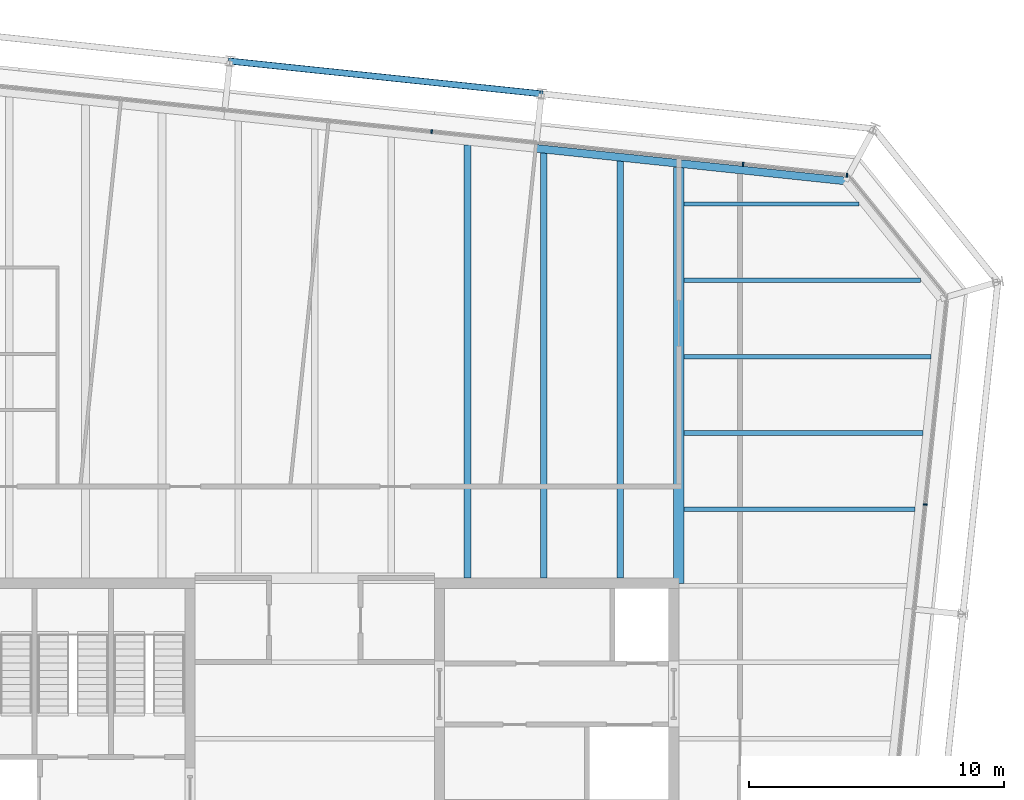
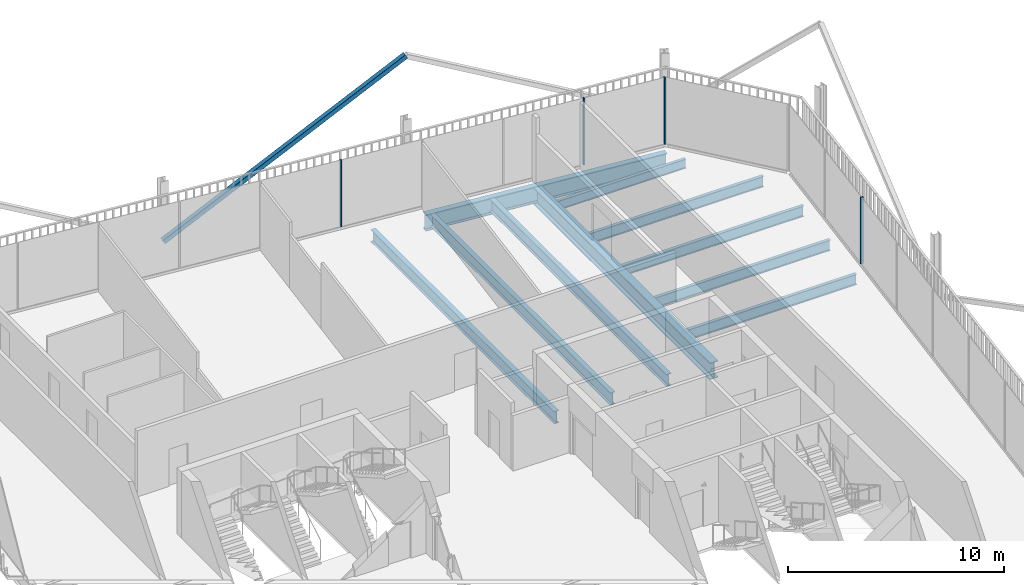
# One storey, part 14 of 21: 10 beams, 5 members, 2 elements without a shape of their own.
"""IFC4 building model written with IfcOpenShell, lengths in metres."""

from ifc_helpers import new_model, si_unit, direction, frame, origin, origin_2d, place, context, subcontext, project, spatial, rectangle, hollow_rectangle, i_section, extrude, material, layer, layer_set, material_profile, profile_set, type_object, element, aggregate, save


model = new_model("IFC4")

# Units and contexts
model_context = context("Model", 3, precision=1e-05, world=origin(), true_north=direction((0.0, 1.0)))
body_context = subcontext(model_context, "Body", "Model", "MODEL_VIEW")
ifc_project = project(units=[si_unit("LENGTHUNIT", "METRE"), si_unit("AREAUNIT", "SQUARE_METRE"), si_unit("VOLUMEUNIT", "CUBIC_METRE"), si_unit("PLANEANGLEUNIT", "RADIAN"), si_unit("MASSUNIT", "GRAM", prefix="KILO")], contexts=[model_context])

# Site, building, storey
site_placement = place(None, origin())
site = spatial("IfcSite", under=ifc_project, at=site_placement, CompositionType="ELEMENT")
building_placement = place(site_placement, origin())
building = spatial("IfcBuilding", under=site, at=building_placement, Name="Millrace Tower", CompositionType="ELEMENT")
storey_placement = place(building_placement, frame((0.0, 0.0, 334.300048828125)))
storey = spatial("IfcBuildingStorey", under=building, at=storey_placement, Name="L77", CompositionType="ELEMENT", Elevation=334.300048828125)

# Curtain wall, member
ifc_material_1 = material(Name="Aluminium and glass", Category="aluminium")
ifc_layer = layer(ifc_material_1, 0.14990234375)
ifc_layer_set = layer_set([ifc_layer], Name="Aluminium and glass")
curtain_wall_type = type_object("IfcCurtainWallType", Name="CW-1 office vision curtain wall", PredefinedType="NOTDEFINED", material=ifc_layer_set)
placement = place(storey_placement, origin())
curtain_wall_1 = element("IfcCurtainWall", 1, at=placement, inside=storey, type_object=curtain_wall_type, Name="Curtain wall E-F04 L77", PredefinedType="NOTDEFINED")
ifc_material_2 = material(Name="Aluminium", Category="aluminium")
ifc_material_profile_1 = material_profile(ifc_material_2, rectangle(XDim=0.06494140625, YDim=0.14990234375, at=origin_2d()))
ifc_profile_set_1 = profile_set([ifc_material_profile_1], Name="Aluminium")
member_type_1 = type_object("IfcMemberType", Name="CW-1 office vision curtain wall mullion", PredefinedType="MULLION", material=ifc_profile_set_1)
member_1_placement = place(storey_placement, frame((23.974853515625, 12.1904296875, 0.139892578125), z_axis=(0.0, 0.0, 1.0), x_axis=(0.104528455196, 0.994521896217, 0.0)))
member_1 = element("IfcMember", 2, at=member_1_placement, type_object=member_type_1, Name="CW1 mullion E-F04.8", PredefinedType="MULLION", context=body_context, shape_type="SweptSolid", body=[
    extrude(rectangle(XDim=0.06494140625, YDim=0.14990234375, at=origin_2d()), origin(), (0.0, 0.0, 1.0), 3.760009765625),
])
aggregate(curtain_wall_1, [member_1])

# Curtain wall, members
curtain_wall_2 = element("IfcCurtainWall", 3, at=placement, inside=storey, type_object=curtain_wall_type, Name="Curtain wall E-F06 L77", PredefinedType="NOTDEFINED")
member_2_placement = place(storey_placement, frame((20.902587890625, 25.124755859375, 0.139892578125), z_axis=(0.0, 0.0, 1.0), x_axis=(-0.994521896217, 0.104528455196, 0.0)))
member_2 = element("IfcMember", 4, at=member_2_placement, type_object=member_type_1, Name="CW1 mullion E-F06.1", PredefinedType="MULLION", context=body_context, shape_type="SweptSolid", body=[
    extrude(rectangle(XDim=0.06494140625, YDim=0.14990234375, at=origin_2d()), origin(), (0.0, 0.0, 1.0), 3.760009765625),
])
member_3_placement = place(storey_placement, frame((16.824951171875, 25.553466796875, 0.139892578125), z_axis=(0.0, 0.0, 1.0), x_axis=(-0.994521896217, 0.104528455196, 0.0)))
member_3 = element("IfcMember", 5, at=member_3_placement, type_object=member_type_1, Name="CW1 mullion E-F06.2", PredefinedType="MULLION", context=body_context, shape_type="SweptSolid", body=[
    extrude(rectangle(XDim=0.06494140625, YDim=0.14990234375, at=origin_2d()), origin(), (0.0, 0.0, 1.0), 3.760009765625),
])
member_4_placement = place(storey_placement, frame((4.59228515625, 26.839111328125, 0.139892578125), z_axis=(0.0, 0.0, 1.0), x_axis=(-0.994521896217, 0.104528455196, 0.0)))
member_4 = element("IfcMember", 6, at=member_4_placement, type_object=member_type_1, Name="CW1 mullion E-F06.5", PredefinedType="MULLION", context=body_context, shape_type="SweptSolid", body=[
    extrude(rectangle(XDim=0.06494140625, YDim=0.14990234375, at=origin_2d()), origin(), (0.0, 0.0, 1.0), 3.760009765625),
])
aggregate(curtain_wall_2, [member_2, member_3, member_4])

# Member
ifc_material_3 = material(Name="Steel ASTM A500 Grade C", Category="steel")
ifc_material_profile_2 = material_profile(ifc_material_3, hollow_rectangle(XDim=0.25390625, YDim=0.25390625, WallThickness=0.009521484375, InnerFilletRadius=0.004638671875, OuterFilletRadius=0.014404296875, at=origin_2d()))
ifc_profile_set_2 = profile_set([ifc_material_profile_2], Name="Steel ASTM A500 Grade C")
member_type_2 = type_object("IfcMemberType", Name="Exoskeleton brace HSS10x10x3/8", PredefinedType="BRACE", material=ifc_profile_set_2)
member_5_placement = place(storey_placement, frame((-3.329345703125, 29.607177734375, 0.39990234375), z_axis=(0.864351522622, -0.090842732624, 0.494615045537), x_axis=(0.104523600289, 0.994522406476, 0.0)))
element("IfcMember", 7, at=member_5_placement, inside=storey, type_object=member_type_2, Name="BRC-E-L77-11", PredefinedType="BRACE", context=body_context, shape_type="SweptSolid", body=[
    extrude(hollow_rectangle(XDim=0.25390625, YDim=0.25390625, WallThickness=0.009521484375, InnerFilletRadius=0.004638671875, OuterFilletRadius=0.014404296875, at=origin_2d()), origin(), (0.0, 0.0, 1.0), 14.15234375),
])

# Beams
ifc_material_4 = material(Name="Steel ASTM A992 Grade 50", Category="steel")
ifc_material_profile_3 = material_profile(ifc_material_4, i_section(OverallWidth=0.1650390625, OverallDepth=0.52587890625, WebThickness=0.0087890625, FlangeThickness=0.011474609375, FilletRadius=0.0126953125, at=origin_2d()))
ifc_profile_set_3 = profile_set([ifc_material_profile_3], Name="Steel ASTM A992 Grade 50")
beam_type_1 = type_object("IfcBeamType", Name="Floor beam W21x44", PredefinedType="JOIST", material=ifc_profile_set_3)
beam_1_placement = place(storey_placement, frame((14.509521484375, 24.0, -0.4228515625), z_axis=(1.0, 0.0, 0.0), x_axis=(0.0, 1.0, 0.0)))
element("IfcBeam", 8, at=beam_1_placement, inside=storey, type_object=beam_type_1, Name="BM-E-L77-S1-S034", PredefinedType="JOIST", context=body_context, shape_type="SweptSolid", body=[
    extrude(i_section(OverallWidth=0.1650390625, OverallDepth=0.52587890625, WebThickness=0.0087890625, FlangeThickness=0.011474609375, FilletRadius=0.0126953125, at=origin_2d()), origin(), (0.0, 0.0, 1.0), 6.861572265625),
])
ifc_material_5 = material(Name="Steel ASTM A992 Grade 50", Category="steel")
ifc_material_profile_4 = material_profile(ifc_material_5, i_section(OverallWidth=0.177978515625, OverallDepth=0.599365234375, WebThickness=0.010009765625, FlangeThickness=0.012939453125, FilletRadius=0.012939453125, at=origin_2d()))
ifc_profile_set_4 = profile_set([ifc_material_profile_4], Name="Steel ASTM A992 Grade 50")
beam_type_2 = type_object("IfcBeamType", Name="Floor beam W24x55", PredefinedType="JOIST", material=ifc_profile_set_4)
beam_2_placement = place(storey_placement, frame((14.509521484375, 12.0, -0.459716796875), z_axis=(1.0, 0.0, 0.0), x_axis=(0.0, 1.0, 0.0)))
element("IfcBeam", 9, at=beam_2_placement, inside=storey, type_object=beam_type_2, Name="BM-E-L77-S1-S026", PredefinedType="JOIST", context=body_context, shape_type="SweptSolid", body=[
    extrude(i_section(OverallWidth=0.177978515625, OverallDepth=0.599365234375, WebThickness=0.010009765625, FlangeThickness=0.012939453125, FilletRadius=0.012939453125, at=origin_2d()), origin(), (0.0, 0.0, 1.0), 9.060791015625),
])
beam_3_placement = place(storey_placement, frame((14.509521484375, 15.0, -0.459716796875), z_axis=(1.0, 0.0, 0.0), x_axis=(0.0, 1.0, 0.0)))
element("IfcBeam", 10, at=beam_3_placement, inside=storey, type_object=beam_type_2, Name="BM-E-L77-S1-S028", PredefinedType="JOIST", context=body_context, shape_type="SweptSolid", body=[
    extrude(i_section(OverallWidth=0.177978515625, OverallDepth=0.599365234375, WebThickness=0.010009765625, FlangeThickness=0.012939453125, FilletRadius=0.012939453125, at=origin_2d()), origin(), (0.0, 0.0, 1.0), 9.376220703125),
])
beam_4_placement = place(storey_placement, frame((14.509521484375, 18.0, -0.459716796875), z_axis=(1.0, 0.0, 0.0), x_axis=(0.0, 1.0, 0.0)))
element("IfcBeam", 11, at=beam_4_placement, inside=storey, type_object=beam_type_2, Name="BM-E-L77-S1-S030", PredefinedType="JOIST", context=body_context, shape_type="SweptSolid", body=[
    extrude(i_section(OverallWidth=0.177978515625, OverallDepth=0.599365234375, WebThickness=0.010009765625, FlangeThickness=0.012939453125, FilletRadius=0.012939453125, at=origin_2d()), origin(), (0.0, 0.0, 1.0), 9.69140625),
])
beam_5_placement = place(storey_placement, frame((14.509521484375, 21.0, -0.459716796875), z_axis=(1.0, 0.0, 0.0), x_axis=(0.0, 1.0, 0.0)))
element("IfcBeam", 12, at=beam_5_placement, inside=storey, type_object=beam_type_2, Name="BM-E-L77-S1-S032", PredefinedType="JOIST", context=body_context, shape_type="SweptSolid", body=[
    extrude(i_section(OverallWidth=0.177978515625, OverallDepth=0.599365234375, WebThickness=0.010009765625, FlangeThickness=0.012939453125, FilletRadius=0.012939453125, at=origin_2d()), origin(), (0.0, 0.0, 1.0), 9.282958984375),
])
ifc_material_6 = material(Name="Steel ASTM A992 Grade 50", Category="steel")
ifc_material_profile_5 = material_profile(ifc_material_6, i_section(OverallWidth=0.256591796875, OverallDepth=0.693359375, WebThickness=0.014404296875, FlangeThickness=0.023681640625, FilletRadius=0.01513671875, at=origin_2d()))
ifc_profile_set_5 = profile_set([ifc_material_profile_5], Name="Steel ASTM A992 Grade 50")
beam_type_3 = type_object("IfcBeamType", Name="Floor beam W27x114", PredefinedType="JOIST", material=ifc_profile_set_5)
beam_6_placement = place(storey_placement, frame((6.0, 9.300048828125, -0.5068359375), z_axis=(0.0, 1.0, 0.0), x_axis=(-1.0, 0.0, 0.0)))
element("IfcBeam", 13, at=beam_6_placement, inside=storey, type_object=beam_type_3, Name="BM-E-L77-S1-S048", PredefinedType="JOIST", context=body_context, shape_type="SweptSolid", body=[
    extrude(i_section(OverallWidth=0.256591796875, OverallDepth=0.693359375, WebThickness=0.014404296875, FlangeThickness=0.023681640625, FilletRadius=0.01513671875, at=origin_2d()), origin(), (0.0, 0.0, 1.0), 17.006591796875),
])
beam_7_placement = place(storey_placement, frame((9.0, 9.300048828125, -0.5068359375), z_axis=(0.0, 1.0, 0.0), x_axis=(-1.0, 0.0, 0.0)))
element("IfcBeam", 14, at=beam_7_placement, inside=storey, type_object=beam_type_3, Name="BM-E-L77-S1-S050", PredefinedType="JOIST", context=body_context, shape_type="SweptSolid", body=[
    extrude(i_section(OverallWidth=0.256591796875, OverallDepth=0.693359375, WebThickness=0.014404296875, FlangeThickness=0.023681640625, FilletRadius=0.01513671875, at=origin_2d()), origin(), (0.0, 0.0, 1.0), 16.69140625),
])
beam_8_placement = place(storey_placement, frame((12.0, 9.300048828125, -0.5068359375), z_axis=(0.0, 1.0, 0.0), x_axis=(-1.0, 0.0, 0.0)))
element("IfcBeam", 15, at=beam_8_placement, inside=storey, type_object=beam_type_3, Name="BM-E-L77-S1-S052", PredefinedType="JOIST", context=body_context, shape_type="SweptSolid", body=[
    extrude(i_section(OverallWidth=0.256591796875, OverallDepth=0.693359375, WebThickness=0.014404296875, FlangeThickness=0.023681640625, FilletRadius=0.01513671875, at=origin_2d()), origin(), (0.0, 0.0, 1.0), 16.3759765625),
])
ifc_material_7 = material(Name="Steel ASTM A992 Grade 50", Category="steel")
ifc_material_profile_6 = material_profile(ifc_material_7, i_section(OverallWidth=0.424072265625, OverallDepth=0.947509765625, WebThickness=0.02392578125, FlangeThickness=0.042724609375, FilletRadius=0.024169921875, at=origin_2d()))
ifc_profile_set_6 = profile_set([ifc_material_profile_6], Name="Steel ASTM A992 Grade 50")
beam_type_4 = type_object("IfcBeamType", Name="Girder medium span W36x302", PredefinedType="BEAM", material=ifc_profile_set_6)
beam_9_placement = place(storey_placement, frame((14.300048828125, 9.092041015625, -0.6337890625), z_axis=(0.0, 1.0, 0.0), x_axis=(-1.0, 0.0, 0.0)))
element("IfcBeam", 16, at=beam_9_placement, inside=storey, type_object=beam_type_4, Name="BM-E-L77-S1-G056", PredefinedType="BEAM", context=body_context, shape_type="SweptSolid", body=[
    extrude(i_section(OverallWidth=0.424072265625, OverallDepth=0.947509765625, WebThickness=0.02392578125, FlangeThickness=0.042724609375, FilletRadius=0.024169921875, at=origin_2d()), origin(), (0.0, 0.0, 1.0), 16.34228515625),
])
ifc_material_8 = material(Name="Steel ASTM A992 Grade 50", Category="steel")
ifc_material_profile_7 = material_profile(ifc_material_8, i_section(OverallWidth=0.307373046875, OverallDepth=0.927001953125, WebThickness=0.01953125, FlangeThickness=0.031982421875, FilletRadius=0.01904296875, at=origin_2d()))
ifc_profile_set_7 = profile_set([ifc_material_profile_7], Name="Steel ASTM A992 Grade 50")
beam_type_5 = type_object("IfcBeamType", Name="Ring beam medium span W36x194", PredefinedType="SPANDREL", material=ifc_profile_set_7)
beam_10_placement = place(storey_placement, frame((8.67822265625, 26.1796875, -0.62353515625), z_axis=(0.994521948696, -0.104527955888, 0.0), x_axis=(0.104527955888, 0.994521948696, 0.0)))
element("IfcBeam", 17, at=beam_10_placement, inside=storey, type_object=beam_type_5, Name="RNG-E-L77-S1-07", PredefinedType="SPANDREL", context=body_context, shape_type="SweptSolid", body=[
    extrude(i_section(OverallWidth=0.307373046875, OverallDepth=0.927001953125, WebThickness=0.01953125, FlangeThickness=0.031982421875, FilletRadius=0.01904296875, at=origin_2d()), origin(), (0.0, 0.0, 1.0), 12.236572265625),
])

save(model, "model.ifc")
